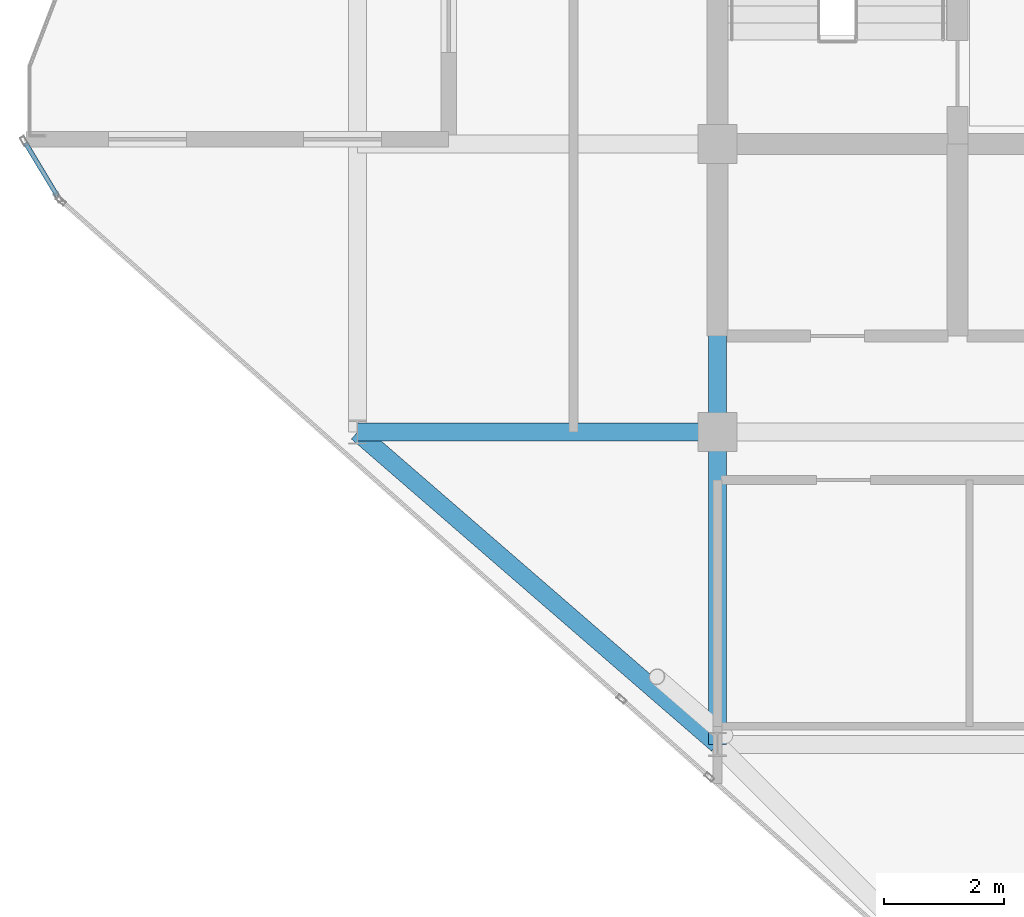
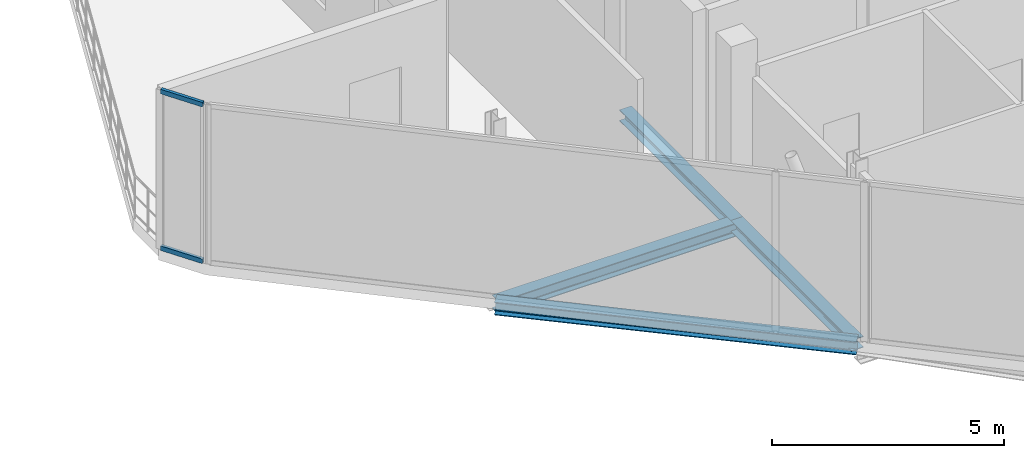
# One storey, part 4 of 24: 4 beams, 2 members, 1 element without a shape of its own.
"""IFC4 building model written with IfcOpenShell, lengths in metres."""

from ifc_helpers import new_model, si_unit, direction, frame, origin, origin_2d, place, context, subcontext, project, spatial, hollow_rectangle, i_section, extrude, material, layer, layer_set, material_profile, profile_set, type_object, element, aggregate, save


model = new_model("IFC4")

# Units and contexts
model_context = context("Model", 3, precision=1e-05, world=origin(), true_north=direction((0.0, 1.0)))
body_context = subcontext(model_context, "Body", "Model", "MODEL_VIEW")
ifc_project = project(units=[si_unit("LENGTHUNIT", "METRE"), si_unit("AREAUNIT", "SQUARE_METRE"), si_unit("VOLUMEUNIT", "CUBIC_METRE"), si_unit("PLANEANGLEUNIT", "RADIAN"), si_unit("MASSUNIT", "GRAM", prefix="KILO")], contexts=[model_context])

# Site, building, storey
site_placement = place(None, origin())
site = spatial("IfcSite", under=ifc_project, at=site_placement, CompositionType="ELEMENT")
building_placement = place(site_placement, origin())
building = spatial("IfcBuilding", under=site, at=building_placement, Name="Keshet Zoharim Tower", CompositionType="ELEMENT")
storey_placement = place(building_placement, frame((0.0, 0.0, 299.10009765625)))
storey = spatial("IfcBuildingStorey", under=building, at=storey_placement, Name="L75", CompositionType="ELEMENT", Elevation=299.10009765625)

# Beams
ifc_material_1 = material(Name="Steel S355", Category="steel")
ifc_material_profile_1 = material_profile(ifc_material_1, i_section(OverallWidth=0.300048828125, OverallDepth=0.2900390625, WebThickness=0.008544921875, FlangeThickness=0.013916015625, FilletRadius=0.027099609375, at=origin_2d()), Name="HEA300")
ifc_profile_set_1 = profile_set([ifc_material_profile_1], Name="Steel S355")
beam_type_1 = type_object("IfcBeamType", Name="BM-PRI-HA300", PredefinedType="BEAM", material=ifc_profile_set_1)
beam_1_placement = place(storey_placement, frame((15.0, 12.699951171875, -0.465087890625), z_axis=(0.0, 1.0, 0.0), x_axis=(-1.0, 0.0, 0.0)))
element("IfcBeam", 1, at=beam_1_placement, inside=storey, type_object=beam_type_1, Name="L75 Primary Girder Y-001", PredefinedType="BEAM", context=body_context, shape_type="SweptSolid", body=[
    extrude(i_section(OverallWidth=0.300048828125, OverallDepth=0.2900390625, WebThickness=0.008544921875, FlangeThickness=0.013916015625, FilletRadius=0.027099609375, at=origin_2d()), origin(), (0.0, 0.0, 1.0), 5.199951171875),
])
beam_2_placement = place(storey_placement, frame((15.0, 17.89990234375, -0.465087890625), z_axis=(0.0, 1.0, 0.0), x_axis=(-1.0, 0.0, 0.0)))
element("IfcBeam", 2, at=beam_2_placement, inside=storey, type_object=beam_type_1, Name="L75 Primary Girder Y-002", PredefinedType="BEAM", context=body_context, shape_type="SweptSolid", body=[
    extrude(i_section(OverallWidth=0.300048828125, OverallDepth=0.2900390625, WebThickness=0.008544921875, FlangeThickness=0.013916015625, FilletRadius=0.027099609375, at=origin_2d()), origin(), (0.0, 0.0, 1.0), 4.800048828125),
])
ifc_material_profile_2 = material_profile(ifc_material_1, i_section(OverallWidth=0.300048828125, OverallDepth=0.35009765625, WebThickness=0.010009765625, FlangeThickness=0.017578125, FilletRadius=0.027099609375, at=origin_2d()), Name="HEA360")
ifc_profile_set_2 = profile_set([ifc_material_profile_2], Name="Steel S355")
beam_type_2 = type_object("IfcBeamType", Name="BM-PRI-HA360", PredefinedType="BEAM", material=ifc_profile_set_2)
beam_3_placement = place(storey_placement, frame((9.0, 17.89990234375, -0.4951171875), z_axis=(1.0, 0.0, 0.0), x_axis=(0.0, 1.0, 0.0)))
element("IfcBeam", 3, at=beam_3_placement, inside=storey, type_object=beam_type_2, Name="L75 Primary Girder X-005", PredefinedType="BEAM", context=body_context, shape_type="SweptSolid", body=[
    extrude(i_section(OverallWidth=0.300048828125, OverallDepth=0.35009765625, WebThickness=0.010009765625, FlangeThickness=0.017578125, FilletRadius=0.027099609375, at=origin_2d()), origin(), (0.0, 0.0, 1.0), 6.0),
])
ifc_material_profile_3 = material_profile(ifc_material_1, i_section(OverallWidth=0.300048828125, OverallDepth=0.340087890625, WebThickness=0.011962890625, FlangeThickness=0.021484375, FilletRadius=0.027099609375, at=origin_2d()), Name="HEB340")
ifc_profile_set_3 = profile_set([ifc_material_profile_3], Name="Steel S355")
beam_type_3 = type_object("IfcBeamType", Name="BM-SPN-HB340", PredefinedType="SPANDREL", material=ifc_profile_set_3)
beam_4_placement = place(storey_placement, frame((9.0, 17.89990234375, -0.489990234375), z_axis=(0.755692126483, -0.654927026447, 0.0), x_axis=(0.654927026447, 0.755692126483, 0.0)))
element("IfcBeam", 4, at=beam_4_placement, inside=storey, type_object=beam_type_3, Name="L75 Perimeter Spandrel Beam 02", PredefinedType="SPANDREL", context=body_context, shape_type="SweptSolid", body=[
    extrude(i_section(OverallWidth=0.300048828125, OverallDepth=0.340087890625, WebThickness=0.011962890625, FlangeThickness=0.021484375, FilletRadius=0.027099609375, at=origin_2d()), origin(), (0.0, 0.0, 1.0), 7.939697265625),
])

# Curtain wall, members
ifc_material_2 = material(Name="Aluminium 6063-T6", Category="aluminium")
ifc_layer = layer(ifc_material_2, 0.260009765625)
ifc_layer_set = layer_set([ifc_layer], Name="Aluminium 6063-T6")
curtain_wall_type = type_object("IfcCurtainWallType", Name="CW-SYS-06", PredefinedType="NOTDEFINED", material=ifc_layer_set)
curtain_wall_placement = place(storey_placement, origin())
curtain_wall = element("IfcCurtainWall", 5, at=curtain_wall_placement, inside=storey, type_object=curtain_wall_type, Name="L75 Unitised Curtain Wall 15", PredefinedType="NOTDEFINED")
ifc_material_profile_4 = material_profile(ifc_material_2, hollow_rectangle(XDim=0.074951171875, YDim=0.1201171875, WallThickness=0.00390625, at=origin_2d()), Name="TRN-75x120")
ifc_profile_set_4 = profile_set([ifc_material_profile_4], Name="Aluminium 6063-T6")
member_type = type_object("IfcMemberType", Name="CWT-T12", PredefinedType="USERDEFINED", material=ifc_profile_set_4)
member_1_placement = place(storey_placement, frame((3.998779296875, 21.840087890625, 0.034912109375), z_axis=(-0.515823498957, 0.856694880295, 0.0), x_axis=(-0.856694880295, -0.515823498957, 0.0)))
member_1 = element("IfcMember", 6, at=member_1_placement, type_object=member_type, Name="CW-06 transom 1.1", ObjectType="TRANSOM", PredefinedType="USERDEFINED", context=body_context, shape_type="SweptSolid", body=[
    extrude(hollow_rectangle(XDim=0.074951171875, YDim=0.1201171875, WallThickness=0.00390625, at=origin_2d()), origin(), (0.0, 0.0, 1.0), 1.027099609375),
])
member_2_placement = place(storey_placement, frame((3.998779296875, 21.840087890625, 4.15478515625), z_axis=(-0.515823498957, 0.856694880295, 0.0), x_axis=(-0.856694880295, -0.515823498957, 0.0)))
member_2 = element("IfcMember", 7, at=member_2_placement, type_object=member_type, Name="CW-06 transom 1.2", ObjectType="TRANSOM", PredefinedType="USERDEFINED", context=body_context, shape_type="SweptSolid", body=[
    extrude(hollow_rectangle(XDim=0.074951171875, YDim=0.1201171875, WallThickness=0.00390625, at=origin_2d()), origin(), (0.0, 0.0, 1.0), 1.027099609375),
])
aggregate(curtain_wall, [member_1, member_2])

save(model, "model.ifc")
